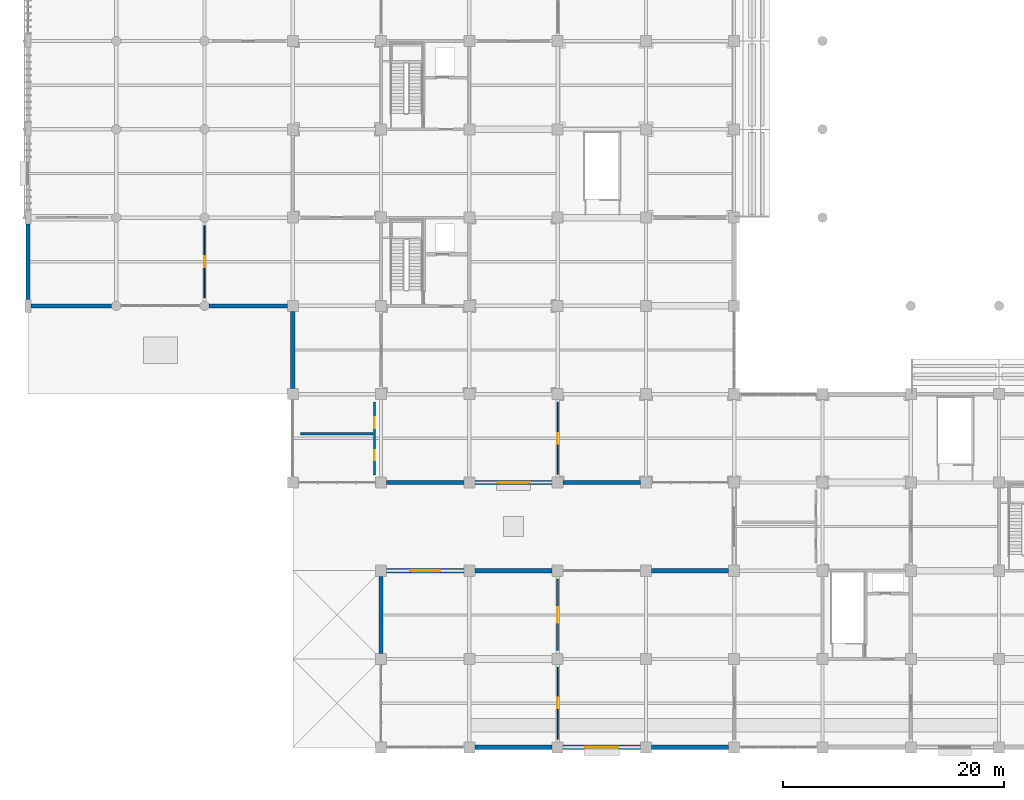
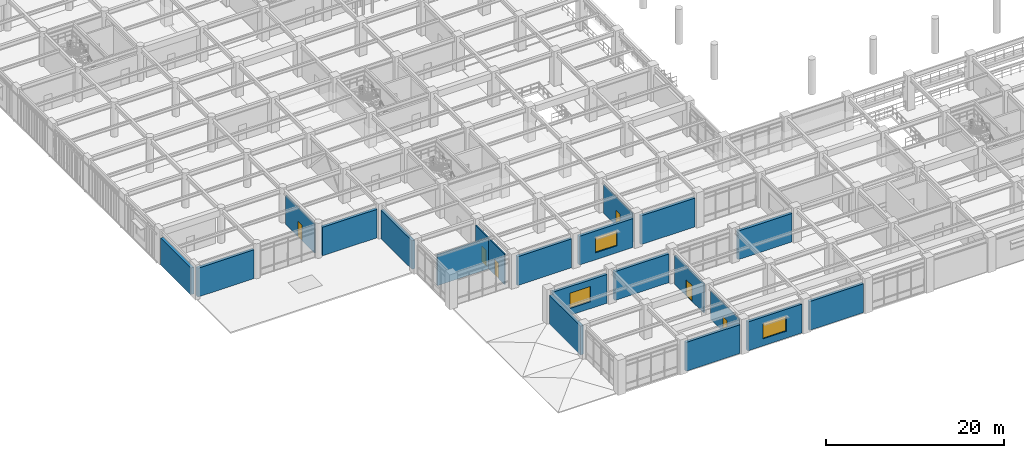
# One storey, part 70 of 117: 20 walls, 6 doors, 3 windows, 9 openings.
"""IFC4 building model written with IfcOpenShell, lengths in metres."""

from ifc_helpers import new_model, si_unit, direction, frame, frame_2d, origin, place, context, subcontext, project, spatial, rectangle, extrude, material, layer, layer_set, type_object, element, fill, save


model = new_model("IFC4")

# Units and contexts
model_context = context("Model", 3, precision=1e-05, world=origin(), true_north=direction((0.0, 1.0)))
body_context = subcontext(model_context, "Body", "Model", "MODEL_VIEW")
ifc_project = project(units=[si_unit("LENGTHUNIT", "METRE"), si_unit("AREAUNIT", "SQUARE_METRE"), si_unit("VOLUMEUNIT", "CUBIC_METRE"), si_unit("PLANEANGLEUNIT", "RADIAN"), si_unit("MASSUNIT", "GRAM", prefix="KILO")], contexts=[model_context])

# Site, building, storey
site_placement = place(None, origin())
site = spatial("IfcSite", under=ifc_project, at=site_placement, CompositionType="ELEMENT")
building_placement = place(site_placement, origin())
building = spatial("IfcBuilding", under=site, at=building_placement, Name="Haebicheon Civic Stadium", CompositionType="ELEMENT")
storey_placement = place(building_placement, frame((0.0, 0.0, 4.800048828125)))
storey = spatial("IfcBuildingStorey", under=building, at=storey_placement, Name="L02", CompositionType="ELEMENT", Elevation=4.800048828125)

# Walls
ifc_material_1 = material(Name="Concrete C40/50", Category="concrete")
ifc_layer_1 = layer(ifc_material_1, 0.3798828125, Name="Concrete C40/50")
ifc_layer_set_1 = layer_set([ifc_layer_1], Name="Concrete C40/50")
wall_type_1 = type_object("IfcWallType", Name="EW-BM-380", PredefinedType="SOLIDWALL", material=ifc_layer_set_1)
wall_1_placement = place(storey_placement, frame((0.27490234375, 40.0, 0.0), z_axis=(0.0, 0.0, 1.0), x_axis=(1.0, 0.0, 0.0)))
element("IfcWall", 1, at=wall_1_placement, inside=storey, type_object=wall_type_1, material=ifc_layer_set_1, Name="L02 board-marked concrete facade wall 00-05-S", PredefinedType="SOLIDWALL", context=body_context, shape_type="SweptSolid", body=[
    extrude(rectangle(XDim=7.300048828125, YDim=0.3798828125, at=frame_2d((3.64990234375, 0.0))), origin(), (0.0, 0.0, 1.0), 3.949951171875),
])
wall_2_placement = place(storey_placement, frame((0.0, 40.60009765625, 0.0), z_axis=(0.0, 0.0, 1.0), x_axis=(0.0, 1.0, 0.0)))
element("IfcWall", 2, at=wall_2_placement, inside=storey, type_object=wall_type_1, material=ifc_layer_set_1, Name="L02 board-marked concrete facade wall 00-05-W", PredefinedType="SOLIDWALL", context=body_context, shape_type="SweptSolid", body=[
    extrude(rectangle(XDim=6.7998046875, YDim=0.3798828125, at=frame_2d((3.39990234375, 0.0))), origin(), (0.0, 0.0, 1.0), 3.669921875),
])
wall_3_placement = place(storey_placement, frame((16.425048828125, 40.0, 0.0), z_axis=(0.0, 0.0, 1.0), x_axis=(1.0, 0.0, 0.0)))
element("IfcWall", 3, at=wall_3_placement, inside=storey, type_object=wall_type_1, material=ifc_layer_set_1, Name="L02 board-marked concrete facade wall 02-05-S", PredefinedType="SOLIDWALL", context=body_context, shape_type="SweptSolid", body=[
    extrude(rectangle(XDim=7.074951171875, YDim=0.3798828125, at=frame_2d((3.53759765625, 0.0))), origin(), (0.0, 0.0, 1.0), 3.909912109375),
])
wall_4_placement = place(storey_placement, frame((24.0, 32.5, 0.0), z_axis=(0.0, 0.0, 1.0), x_axis=(0.0, 1.0, 0.0)))
element("IfcWall", 4, at=wall_4_placement, inside=storey, type_object=wall_type_1, material=ifc_layer_set_1, Name="L02 board-marked concrete facade wall 03-04-W", PredefinedType="SOLIDWALL", context=body_context, shape_type="SweptSolid", body=[
    extrude(rectangle(XDim=7.0, YDim=0.3798828125, at=frame_2d((3.5, 0.0))), origin(), (0.0, 0.0, 1.0), 3.909912109375),
])

# Wall, opening, window
wall_5_placement = place(storey_placement, frame((32.5, 16.0, 0.0), z_axis=(0.0, 0.0, 1.0), x_axis=(1.0, 0.0, 0.0)))
wall_5 = element("IfcWall", 5, at=wall_5_placement, inside=storey, type_object=wall_type_1, material=ifc_layer_set_1, Name="L02 board-marked concrete facade wall 04-02-N", PredefinedType="SOLIDWALL", context=body_context, shape_type="SweptSolid", body=[
    extrude(rectangle(XDim=7.0, YDim=0.3798828125, at=frame_2d((3.5, 0.0))), origin(), (0.0, 0.0, 1.0), 3.949951171875),
])
opening_1_placement = place(wall_5_placement, frame((2.14990234375, 0.0, 0.949951171875)))
opening_1 = element("IfcOpeningElement", 6, at=opening_1_placement, cuts=wall_5, Name="Opening WIN-270x210", PredefinedType="OPENING", context=body_context, shape_type="SweptSolid", body=[
    extrude(rectangle(XDim=2.699951171875, YDim=2.10009765625, at=frame_2d((1.35009765625, 1.050048828125))), frame((0.0, 0.199951171875, 0.0), z_axis=(0.0, -1.0, 0.0), x_axis=(1.0, 0.0, 0.0)), (0.0, 0.0, 1.0), 0.39990234375),
])
ifc_material_2 = material(Name="Anodised aluminium and laminated glass", Category="aluminium")
window_type_1 = type_object("IfcWindowType", Name="WIN-270x210", PartitioningType="SINGLE_PANEL", PredefinedType="WINDOW", material=ifc_material_2)
window_1_placement = place(opening_1_placement, origin())
window_1 = element("IfcWindow", 7, at=window_1_placement, inside=storey, type_object=window_type_1, material=ifc_material_2, Name="L02 facade window 035", OverallHeight=2.10009765625, OverallWidth=2.699951171875, PartitioningType="SINGLE_PANEL", PredefinedType="WINDOW", context=body_context, shape_type="SweptSolid", body=[
    extrude(rectangle(XDim=2.699951171875, YDim=2.10009765625, at=frame_2d((1.35009765625, 1.050048828125))), frame((0.0, 0.030029296875, 0.0), z_axis=(0.0, -1.0, 0.0), x_axis=(1.0, 0.0, 0.0)), (0.0, 0.0, 1.0), 0.06005859375),
])
fill(opening_1, window_1)

# Walls
for number, where, z_axis, x_axis, name in (
    (8, (32.0, 8.5, 0.0), (0.0, 0.0, 1.0), (0.0, 1.0, 0.0), "L02 board-marked concrete facade wall 04-01-W"),
    (9, (32.5, 24.0, 0.0), (0.0, 0.0, 1.0), (1.0, 0.0, 0.0), "L02 board-marked concrete facade wall 04-03-S"),
    (10, (40.5, 0.0, 0.0), (0.0, 0.0, 1.0), (1.0, 0.0, 0.0), "L02 board-marked concrete facade wall 05-00-S"),
    (11, (40.5, 16.0, 0.0), (0.0, 0.0, 1.0), (1.0, 0.0, 0.0), "L02 board-marked concrete facade wall 05-02-N"),
):
    element("IfcWall", number, at=place(storey_placement, frame(where, z_axis=z_axis, x_axis=x_axis)), inside=storey, type_object=wall_type_1, material=ifc_layer_set_1, Name=name, PredefinedType="SOLIDWALL", context=body_context, shape_type="SweptSolid", body=[
        extrude(rectangle(XDim=7.0, YDim=0.3798828125, at=frame_2d((3.5, 0.0))), origin(), (0.0, 0.0, 1.0), 3.949951171875),
    ])

# Wall, opening, window
wall_6_placement = place(storey_placement, frame((40.5, 24.0, 0.0), z_axis=(0.0, 0.0, 1.0), x_axis=(1.0, 0.0, 0.0)))
wall_6 = element("IfcWall", 12, at=wall_6_placement, inside=storey, type_object=wall_type_1, material=ifc_layer_set_1, Name="L02 board-marked concrete facade wall 05-03-S", PredefinedType="SOLIDWALL", context=body_context, shape_type="SweptSolid", body=[
    extrude(rectangle(XDim=7.0, YDim=0.3798828125, at=frame_2d((3.5, 0.0))), origin(), (0.0, 0.0, 1.0), 3.949951171875),
])
opening_2_placement = place(wall_6_placement, frame((2.074951171875, 0.0, 0.949951171875)))
opening_2 = element("IfcOpeningElement", 13, at=opening_2_placement, cuts=wall_6, Name="Opening WIN-285x210", PredefinedType="OPENING", context=body_context, shape_type="SweptSolid", body=[
    extrude(rectangle(XDim=2.85009765625, YDim=2.10009765625, at=frame_2d((1.425048828125, 1.050048828125))), frame((0.0, 0.199951171875, 0.0), z_axis=(0.0, -1.0, 0.0), x_axis=(1.0, 0.0, 0.0)), (0.0, 0.0, 1.0), 0.39990234375),
])
ifc_material_3 = material(Name="Anodised aluminium and laminated glass", Category="aluminium")
window_type_2 = type_object("IfcWindowType", Name="WIN-285x210", PartitioningType="SINGLE_PANEL", PredefinedType="WINDOW", material=ifc_material_3)
window_2_placement = place(opening_2_placement, origin())
window_2 = element("IfcWindow", 14, at=window_2_placement, inside=storey, type_object=window_type_2, material=ifc_material_3, Name="L02 facade window 036", OverallHeight=2.10009765625, OverallWidth=2.85009765625, PartitioningType="SINGLE_PANEL", PredefinedType="WINDOW", context=body_context, shape_type="SweptSolid", body=[
    extrude(rectangle(XDim=2.85009765625, YDim=2.10009765625, at=frame_2d((1.425048828125, 1.050048828125))), frame((0.0, 0.030029296875, 0.0), z_axis=(0.0, -1.0, 0.0), x_axis=(1.0, 0.0, 0.0)), (0.0, 0.0, 1.0), 0.06005859375),
])
fill(opening_2, window_2)

wall_7_placement = place(storey_placement, frame((48.5, 0.0, 0.0), z_axis=(0.0, 0.0, 1.0), x_axis=(1.0, 0.0, 0.0)))
wall_7 = element("IfcWall", 15, at=wall_7_placement, inside=storey, type_object=wall_type_1, material=ifc_layer_set_1, Name="L02 board-marked concrete facade wall 06-00-S", PredefinedType="SOLIDWALL", context=body_context, shape_type="SweptSolid", body=[
    extrude(rectangle(XDim=7.0, YDim=0.3798828125, at=frame_2d((3.5, 0.0))), origin(), (0.0, 0.0, 1.0), 3.949951171875),
])
opening_3_placement = place(wall_7_placement, frame((2.0, 0.0, 0.949951171875)))
opening_3 = element("IfcOpeningElement", 16, at=opening_3_placement, cuts=wall_7, Name="Opening WIN-300x210", PredefinedType="OPENING", context=body_context, shape_type="SweptSolid", body=[
    extrude(rectangle(XDim=3.0, YDim=2.10009765625, at=frame_2d((1.5, 1.050048828125))), frame((0.0, 0.199951171875, 0.0), z_axis=(0.0, -1.0, 0.0), x_axis=(1.0, 0.0, 0.0)), (0.0, 0.0, 1.0), 0.39990234375),
])
ifc_material_4 = material(Name="Anodised aluminium and laminated glass", Category="aluminium")
window_type_3 = type_object("IfcWindowType", Name="WIN-300x210", PartitioningType="SINGLE_PANEL", PredefinedType="WINDOW", material=ifc_material_4)
window_3_placement = place(opening_3_placement, origin())
window_3 = element("IfcWindow", 17, at=window_3_placement, inside=storey, type_object=window_type_3, material=ifc_material_4, Name="L02 facade window 037", OverallHeight=2.10009765625, OverallWidth=3.0, PartitioningType="SINGLE_PANEL", PredefinedType="WINDOW", context=body_context, shape_type="SweptSolid", body=[
    extrude(rectangle(XDim=3.0, YDim=2.10009765625, at=frame_2d((1.5, 1.050048828125))), frame((0.0, 0.030029296875, 0.0), z_axis=(0.0, -1.0, 0.0), x_axis=(1.0, 0.0, 0.0)), (0.0, 0.0, 1.0), 0.06005859375),
])
fill(opening_3, window_3)

# Walls
for number, where, z_axis, x_axis, name in (
    (18, (48.5, 24.0, 0.0), (0.0, 0.0, 1.0), (1.0, 0.0, 0.0), "L02 board-marked concrete facade wall 06-03-S"),
    (19, (56.5, 0.0, 0.0), (0.0, 0.0, 1.0), (1.0, 0.0, 0.0), "L02 board-marked concrete facade wall 07-00-S"),
):
    element("IfcWall", number, at=place(storey_placement, frame(where, z_axis=z_axis, x_axis=x_axis)), inside=storey, type_object=wall_type_1, material=ifc_layer_set_1, Name=name, PredefinedType="SOLIDWALL", context=body_context, shape_type="SweptSolid", body=[
        extrude(rectangle(XDim=7.0, YDim=0.3798828125, at=frame_2d((3.5, 0.0))), origin(), (0.0, 0.0, 1.0), 3.949951171875),
    ])
wall_8_placement = place(storey_placement, frame((56.5, 16.0, 0.0), z_axis=(0.0, 0.0, 1.0), x_axis=(1.0, 0.0, 0.0)))
element("IfcWall", 20, at=wall_8_placement, inside=storey, type_object=wall_type_1, material=ifc_layer_set_1, Name="L02 board-marked concrete facade wall 07-02-N", PredefinedType="SOLIDWALL", context=body_context, shape_type="SweptSolid", body=[
    extrude(rectangle(XDim=7.0, YDim=0.3798828125, at=frame_2d((3.5, 0.0))), origin(), (0.0, 0.0, 1.0), 3.909912109375),
])
ifc_material_5 = material(Name="Concrete C35/45", Category="concrete")
ifc_layer_2 = layer(ifc_material_5, 0.219970703125, Name="Concrete C35/45")
ifc_layer_set_2 = layer_set([ifc_layer_2], Name="Concrete C35/45")
wall_type_2 = type_object("IfcWallType", Name="IW-PLB-220", PredefinedType="PLUMBINGWALL", material=ifc_layer_set_2)
wall_9_placement = place(storey_placement, frame((24.719970703125, 28.39990234375, 0.0), z_axis=(0.0, 0.0, 1.0), x_axis=(1.0, 0.0, 0.0)))
element("IfcWall", 21, at=wall_9_placement, inside=storey, type_object=wall_type_2, material=ifc_layer_set_2, Name="L02 sanitary plumbing chase wall 07", PredefinedType="PLUMBINGWALL", context=body_context, shape_type="SweptSolid", body=[
    extrude(rectangle(XDim=6.56005859375, YDim=0.219970703125, at=frame_2d((3.280029296875, 0.0))), origin(), (0.0, 0.0, 1.0), 4.169921875),
])

# Wall, opening, door
ifc_material_6 = material(Name="Anodised aluminium and laminated glass", Category="aluminium")
ifc_layer_3 = layer(ifc_material_6, 0.10009765625, Name="Anodised aluminium and laminated glass")
ifc_layer_set_3 = layer_set([ifc_layer_3], Name="Anodised aluminium and laminated glass")
wall_type_3 = type_object("IfcWallType", Name="IW-PRT-100", PredefinedType="PARTITIONING", material=ifc_layer_set_3)
wall_10_placement = place(storey_placement, frame((48.0, 24.75, 0.0), z_axis=(0.0, 0.0, 1.0), x_axis=(0.0, 1.0, 0.0)))
wall_10 = element("IfcWall", 22, at=wall_10_placement, inside=storey, type_object=wall_type_3, material=ifc_layer_set_3, Name="L02 Family Viewing Lounge partition wall", PredefinedType="PARTITIONING", context=body_context, shape_type="SweptSolid", body=[
    extrude(rectangle(XDim=6.5, YDim=0.10009765625, at=frame_2d((3.25, 0.0))), origin(), (0.0, 0.0, 1.0), 3.969970703125),
])
opening_4_placement = place(wall_10_placement, frame((2.77490234375, 0.0, 0.0)))
opening_4 = element("IfcOpeningElement", 23, at=opening_4_placement, cuts=wall_10, Name="Opening D-L02-201", PredefinedType="OPENING", context=body_context, shape_type="SweptSolid", body=[
    extrude(rectangle(XDim=0.949951171875, YDim=2.10009765625, at=frame_2d((0.47509765625, 1.050048828125))), frame((0.0, 0.06005859375, 0.0), z_axis=(0.0, -1.0, 0.0), x_axis=(1.0, 0.0, 0.0)), (0.0, 0.0, 1.0), 0.1201171875),
])
ifc_material_7 = material(Name="Engineered hardwood timber", Category="wood")
door_type_1 = type_object("IfcDoorType", Name="ID-RM-0950", OperationType="NOTDEFINED", PredefinedType="DOOR", material=ifc_material_7)
door_1_placement = place(opening_4_placement, origin())
door_1 = element("IfcDoor", 24, at=door_1_placement, inside=storey, type_object=door_type_1, material=ifc_material_7, Name="L02 Family Viewing Lounge entrance door D-L02-201", OperationType="SINGLE_SWING_RIGHT", OverallHeight=2.10009765625, OverallWidth=0.949951171875, PredefinedType="DOOR", context=body_context, shape_type="SweptSolid", body=[
    extrude(rectangle(XDim=0.949951171875, YDim=2.10009765625, at=frame_2d((0.47509765625, 1.050048828125))), frame((0.0, 0.02490234375, 0.0), z_axis=(0.0, -1.0, 0.0), x_axis=(1.0, 0.0, 0.0)), (0.0, 0.0, 1.0), 0.050048828125),
])
fill(opening_4, door_1)

wall_11_placement = place(storey_placement, frame((48.0, 0.75, 0.0), z_axis=(0.0, 0.0, 1.0), x_axis=(0.0, 1.0, 0.0)))
wall_11 = element("IfcWall", 25, at=wall_11_placement, inside=storey, type_object=wall_type_3, material=ifc_layer_set_3, Name="L02 Broadcast Technical Rack Room partition wall", PredefinedType="PARTITIONING", context=body_context, shape_type="SweptSolid", body=[
    extrude(rectangle(XDim=6.5, YDim=0.10009765625, at=frame_2d((3.25, 0.0))), origin(), (0.0, 0.0, 1.0), 3.969970703125),
])
opening_5_placement = place(wall_11_placement, frame((2.77490234375, 0.0, 0.0)))
opening_5 = element("IfcOpeningElement", 26, at=opening_5_placement, cuts=wall_11, Name="Opening D-L02-257", PredefinedType="OPENING", context=body_context, shape_type="SweptSolid", body=[
    extrude(rectangle(XDim=0.949951171875, YDim=2.10009765625, at=frame_2d((0.47509765625, 1.050048828125))), frame((0.0, 0.06005859375, 0.0), z_axis=(0.0, -1.0, 0.0), x_axis=(1.0, 0.0, 0.0)), (0.0, 0.0, 1.0), 0.1201171875),
])
door_2_placement = place(opening_5_placement, origin())
door_2 = element("IfcDoor", 27, at=door_2_placement, inside=storey, type_object=door_type_1, material=ifc_material_7, Name="L02 Broadcast Technical Rack Room entrance door D-L02-257", OperationType="SINGLE_SWING_RIGHT", OverallHeight=2.10009765625, OverallWidth=0.949951171875, PredefinedType="DOOR", context=body_context, shape_type="SweptSolid", body=[
    extrude(rectangle(XDim=0.949951171875, YDim=2.10009765625, at=frame_2d((0.47509765625, 1.050048828125))), frame((0.0, 0.02490234375, 0.0), z_axis=(0.0, -1.0, 0.0), x_axis=(1.0, 0.0, 0.0)), (0.0, 0.0, 1.0), 0.050048828125),
])
fill(opening_5, door_2)

ifc_material_8 = material(Name="Gypsum plasterboard on steel studs", Category="gypsum")
ifc_layer_4 = layer(ifc_material_8, 0.1298828125, Name="Gypsum plasterboard on steel studs")
ifc_layer_set_4 = layer_set([ifc_layer_4], Name="Gypsum plasterboard on steel studs")
wall_type_4 = type_object("IfcWallType", Name="IW-PRT-130", PredefinedType="PARTITIONING", material=ifc_layer_set_4)
wall_12_placement = place(storey_placement, frame((16.0, 40.75, 0.0), z_axis=(0.0, 0.0, 1.0), x_axis=(0.0, 1.0, 0.0)))
wall_12 = element("IfcWall", 28, at=wall_12_placement, inside=storey, type_object=wall_type_4, material=ifc_layer_set_4, Name="L02 Club Museum Archive Gallery partition wall", PredefinedType="PARTITIONING", context=body_context, shape_type="SweptSolid", body=[
    extrude(rectangle(XDim=6.5, YDim=0.1298828125, at=frame_2d((3.25, 0.0))), origin(), (0.0, 0.0, 1.0), 3.969970703125),
])
opening_6_placement = place(wall_12_placement, frame((2.75, 0.0, 0.0)))
opening_6 = element("IfcOpeningElement", 29, at=opening_6_placement, cuts=wall_12, Name="Opening D-L02-252", PredefinedType="OPENING", context=body_context, shape_type="SweptSolid", body=[
    extrude(rectangle(XDim=1.0, YDim=2.10009765625, at=frame_2d((0.5, 1.050048828125))), frame((0.0, 0.074951171875, 0.0), z_axis=(0.0, -1.0, 0.0), x_axis=(1.0, 0.0, 0.0)), (0.0, 0.0, 1.0), 0.14990234375),
])
ifc_material_9 = material(Name="Engineered hardwood timber", Category="wood")
door_type_2 = type_object("IfcDoorType", Name="ID-RM-1000", OperationType="NOTDEFINED", PredefinedType="DOOR", material=ifc_material_9)
door_3_placement = place(opening_6_placement, origin())
door_3 = element("IfcDoor", 30, at=door_3_placement, inside=storey, type_object=door_type_2, material=ifc_material_9, Name="L02 Club Museum Archive Gallery entrance door D-L02-252", OperationType="SINGLE_SWING_LEFT", OverallHeight=2.10009765625, OverallWidth=1.0, PredefinedType="DOOR", context=body_context, shape_type="SweptSolid", body=[
    extrude(rectangle(XDim=1.0, YDim=2.10009765625, at=frame_2d((0.5, 1.050048828125))), frame((0.0, 0.02490234375, 0.0), z_axis=(0.0, -1.0, 0.0), x_axis=(1.0, 0.0, 0.0)), (0.0, 0.0, 1.0), 0.050048828125),
])
fill(opening_6, door_3)

# Wall, openings, doors
ifc_material_10 = material(Name="Gypsum plasterboard on steel studs", Category="gypsum")
ifc_layer_5 = layer(ifc_material_10, 0.14990234375, Name="Gypsum plasterboard on steel studs")
ifc_layer_set_5 = layer_set([ifc_layer_5], Name="Gypsum plasterboard on steel studs")
wall_type_5 = type_object("IfcWallType", Name="IW-PRT-150", PredefinedType="PARTITIONING", material=ifc_layer_set_5)
wall_13_placement = place(storey_placement, frame((31.39990234375, 24.719970703125, 0.0), z_axis=(0.0, 0.0, 1.0), x_axis=(0.0, 1.0, 0.0)))
wall_13 = element("IfcWall", 31, at=wall_13_placement, inside=storey, type_object=wall_type_5, material=ifc_layer_set_5, Name="L02 sanitary enclosure front wall 07", PredefinedType="PARTITIONING", context=body_context, shape_type="SweptSolid", body=[
    extrude(rectangle(XDim=6.56005859375, YDim=0.14990234375, at=frame_2d((3.280029296875, 0.0))), origin(), (0.0, 0.0, 1.0), 4.169921875),
])
opening_7_placement = place(wall_13_placement, frame((1.300048828125, 0.0, 0.0)))
opening_7 = element("IfcOpeningElement", 32, at=opening_7_placement, cuts=wall_13, Name="Opening D-L02-WC-07A", PredefinedType="OPENING", context=body_context, shape_type="SweptSolid", body=[
    extrude(rectangle(XDim=0.89990234375, YDim=2.10009765625, at=frame_2d((0.449951171875, 1.050048828125))), frame((0.0, 0.0849609375, 0.0), z_axis=(0.0, -1.0, 0.0), x_axis=(1.0, 0.0, 0.0)), (0.0, 0.0, 1.0), 0.169921875),
])
opening_8_placement = place(wall_13_placement, frame((4.199951171875, 0.0, 0.0)))
opening_8 = element("IfcOpeningElement", 33, at=opening_8_placement, cuts=wall_13, Name="Opening D-L02-AWC-07B", PredefinedType="OPENING", context=body_context, shape_type="SweptSolid", body=[
    extrude(rectangle(XDim=1.0, YDim=2.14990234375, at=frame_2d((0.5, 1.074951171875))), frame((0.0, 0.0849609375, 0.0), z_axis=(0.0, -1.0, 0.0), x_axis=(1.0, 0.0, 0.0)), (0.0, 0.0, 1.0), 0.169921875),
])
ifc_material_11 = material(Name="Anodised aluminium 6063-T6", Category="aluminium")
door_type_3 = type_object("IfcDoorType", Name="ID-AWC-1000", OperationType="NOTDEFINED", PredefinedType="DOOR", material=ifc_material_11)
door_4_placement = place(opening_8_placement, origin())
door_4 = element("IfcDoor", 34, at=door_4_placement, inside=storey, type_object=door_type_3, material=ifc_material_11, Name="L02 accessible WC door 07", OperationType="SINGLE_SWING_RIGHT", OverallHeight=2.14990234375, OverallWidth=1.0, PredefinedType="DOOR", context=body_context, shape_type="SweptSolid", body=[
    extrude(rectangle(XDim=1.0, YDim=2.14990234375, at=frame_2d((0.5, 1.074951171875))), frame((0.0, 0.02490234375, 0.0), z_axis=(0.0, -1.0, 0.0), x_axis=(1.0, 0.0, 0.0)), (0.0, 0.0, 1.0), 0.050048828125),
])
fill(opening_8, door_4)
ifc_material_12 = material(Name="Anodised aluminium 6063-T6", Category="aluminium")
door_type_4 = type_object("IfcDoorType", Name="ID-WC-0900", OperationType="NOTDEFINED", PredefinedType="DOOR", material=ifc_material_12)
door_5_placement = place(opening_7_placement, origin())
door_5 = element("IfcDoor", 35, at=door_5_placement, inside=storey, type_object=door_type_4, material=ifc_material_12, Name="L02 public restroom door 07", OperationType="SINGLE_SWING_LEFT", OverallHeight=2.10009765625, OverallWidth=0.89990234375, PredefinedType="DOOR", context=body_context, shape_type="SweptSolid", body=[
    extrude(rectangle(XDim=0.89990234375, YDim=2.10009765625, at=frame_2d((0.449951171875, 1.050048828125))), frame((0.0, 0.02490234375, 0.0), z_axis=(0.0, -1.0, 0.0), x_axis=(1.0, 0.0, 0.0)), (0.0, 0.0, 1.0), 0.050048828125),
])
fill(opening_7, door_5)

# Wall, opening, door
ifc_material_13 = material(Name="Concrete C35/45", Category="concrete")
ifc_layer_6 = layer(ifc_material_13, 0.179931640625, Name="Concrete C35/45")
ifc_layer_set_6 = layer_set([ifc_layer_6], Name="Concrete C35/45")
wall_type_6 = type_object("IfcWallType", Name="IW-PRT-180", PredefinedType="PARTITIONING", material=ifc_layer_set_6)
wall_14_placement = place(storey_placement, frame((48.0, 8.75, 0.0), z_axis=(0.0, 0.0, 1.0), x_axis=(0.0, 1.0, 0.0)))
wall_14 = element("IfcWall", 36, at=wall_14_placement, inside=storey, type_object=wall_type_6, material=ifc_layer_set_6, Name="L02 Acoustic Heat-Pump Plant partition wall", PredefinedType="PARTITIONING", context=body_context, shape_type="SweptSolid", body=[
    extrude(rectangle(XDim=6.5, YDim=0.179931640625, at=frame_2d((3.25, 0.0))), origin(), (0.0, 0.0, 1.0), 3.969970703125),
])
opening_9_placement = place(wall_14_placement, frame((2.550048828125, 0.0, 0.0)))
opening_9 = element("IfcOpeningElement", 37, at=opening_9_placement, cuts=wall_14, Name="Opening D-L02-258", PredefinedType="OPENING", context=body_context, shape_type="SweptSolid", body=[
    extrude(rectangle(XDim=1.39990234375, YDim=2.199951171875, at=frame_2d((0.699951171875, 1.10009765625))), frame((0.0, 0.099853515625, 0.0), z_axis=(0.0, -1.0, 0.0), x_axis=(1.0, 0.0, 0.0)), (0.0, 0.0, 1.0), 0.199951171875),
])
ifc_material_14 = material(Name="Galvanised painted steel SM355", Category="steel")
door_type_5 = type_object("IfcDoorType", Name="ID-PLT-1400", OperationType="NOTDEFINED", PredefinedType="DOOR", material=ifc_material_14)
door_6_placement = place(opening_9_placement, origin())
door_6 = element("IfcDoor", 38, at=door_6_placement, inside=storey, type_object=door_type_5, material=ifc_material_14, Name="L02 Acoustic Heat-Pump Plant entrance door D-L02-258", OperationType="SINGLE_SWING_LEFT", OverallHeight=2.199951171875, OverallWidth=1.39990234375, PredefinedType="DOOR", context=body_context, shape_type="SweptSolid", body=[
    extrude(rectangle(XDim=1.39990234375, YDim=2.199951171875, at=frame_2d((0.699951171875, 1.10009765625))), frame((0.0, 0.02490234375, 0.0), z_axis=(0.0, -1.0, 0.0), x_axis=(1.0, 0.0, 0.0)), (0.0, 0.0, 1.0), 0.050048828125),
])
fill(opening_9, door_6)

save(model, "model.ifc")
